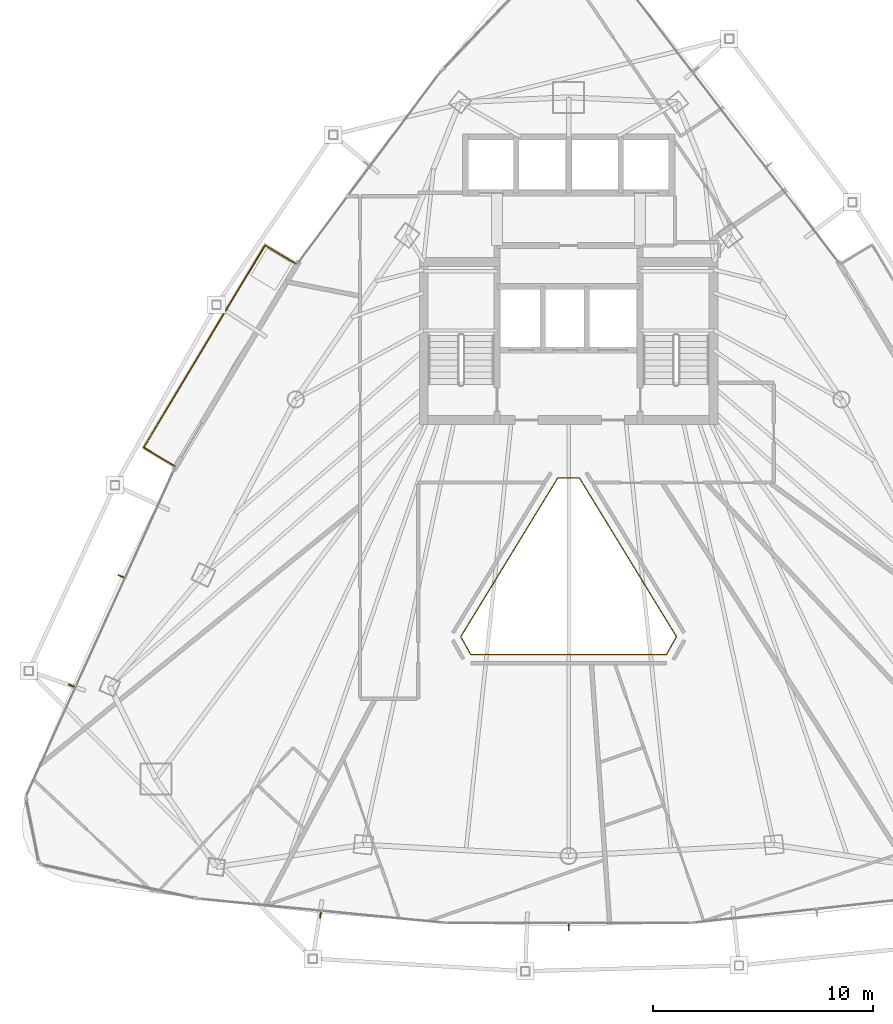
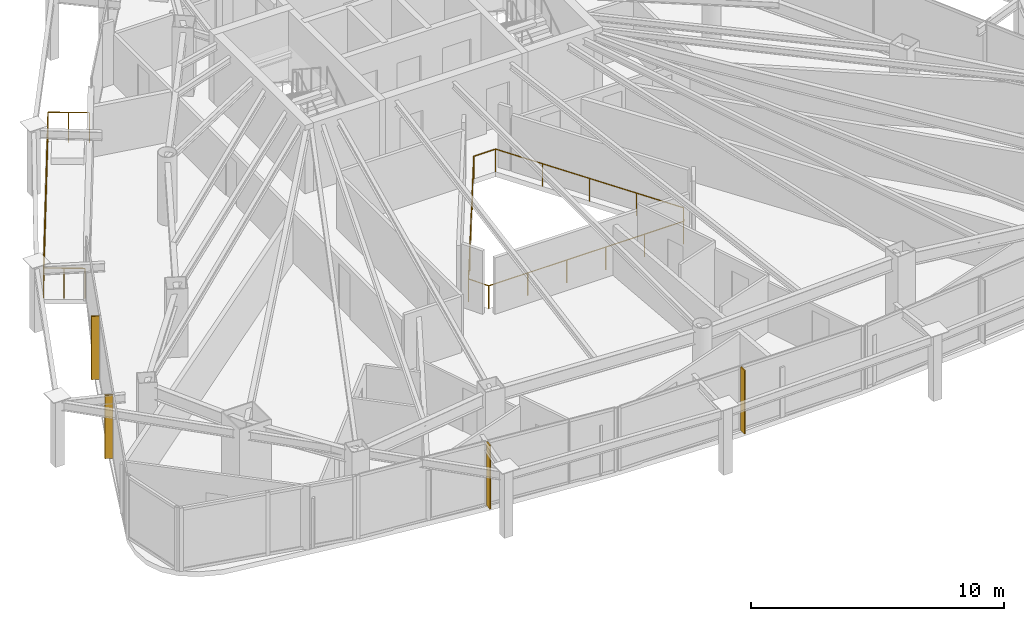
# One storey, part 27 of 29: 4 shading devices, 2 railings.
"""IFC4 building model written with IfcOpenShell, lengths in metres."""

from ifc_helpers import new_model, si_unit, direction, frame, origin, origin_2d, place, context, subcontext, project, spatial, rectangle, circle, extrude, material, layer, layer_set, type_object, element, save


model = new_model("IFC4")

# Units and contexts
model_context = context("Model", 3, precision=1e-05, world=origin(), true_north=direction((0.0, 1.0)))
body_context = subcontext(model_context, "Body", "Model", "MODEL_VIEW")
ifc_project = project(units=[si_unit("LENGTHUNIT", "METRE"), si_unit("AREAUNIT", "SQUARE_METRE"), si_unit("VOLUMEUNIT", "CUBIC_METRE"), si_unit("PLANEANGLEUNIT", "RADIAN"), si_unit("MASSUNIT", "GRAM", prefix="KILO")], contexts=[model_context])

# Site, building, storey
site_placement = place(None, origin())
site = spatial("IfcSite", under=ifc_project, at=site_placement, CompositionType="ELEMENT")
building_placement = place(site_placement, origin())
building = spatial("IfcBuilding", under=site, at=building_placement, Name="Orvanel Arch Residences", CompositionType="ELEMENT")
storey_placement = place(building_placement, frame((0.0, 0.0, 167.14990234375)))
storey = spatial("IfcBuildingStorey", under=building, at=storey_placement, Name="L47", CompositionType="ELEMENT", Elevation=167.14990234375)

# Shading devices
ifc_material = material(Name="Bronze-anodised aluminium AA6063-T6", Category="aluminium")
ifc_layer = layer(ifc_material, 0.054931640625)
ifc_layer_set = layer_set([ifc_layer], Name="Bronze-anodised aluminium AA6063-T6")
shading_device_type = type_object("IfcShadingDeviceType", Name="FIN-BRZ-320", PredefinedType="USERDEFINED", material=ifc_layer_set)
for number, where, z_axis, x_axis, name in (
    (1, (12.6240234375, 19.577880859375, 0.0), (0.0, 0.0, 1.0), (-0.910683660806, 0.413104429825, 0.0), "L47 Anodised Bronze Mullion FIN 01"),
    (2, (10.363037109375, 14.592041015625, 0.0), (0.0, 0.0, 1.0), (-0.910683660806, 0.413104429825, 0.0), "L47 Anodised Bronze Mullion FIN 02"),
    (3, (21.698974609375, 4.157958984375, 0.0), (0.0, 0.0, 1.0), (-0.097582899759, -0.995227399982, 0.0), "L47 Anodised Bronze Mullion FIN 01"),
    (4, (33.0, 3.60595703125, 0.0), (0.0, 0.0, 1.0), (0.0, -1.0, 0.0), "L47 Anodised Bronze Mullion FIN 01"),
):
    element("IfcShadingDevice", number, at=place(storey_placement, frame(where, z_axis=z_axis, x_axis=x_axis)), inside=storey, type_object=shading_device_type, Name=name, ObjectType="FIN", PredefinedType="USERDEFINED", context=body_context, shape_type="SweptSolid", body=[
        extrude(rectangle(XDim=0.320068359375, YDim=0.054931640625, at=origin_2d()), origin(), (0.0, 0.0, 1.0), 3.06005859375),
    ])

# Railings
railing_type_1 = type_object("IfcRailingType", Name="RL-ATR-1120", PredefinedType="BALUSTRADE", material=ifc_material)
railing_1_placement = place(storey_placement, frame((33.498046875, 24.049072265625, 0.0)))
element("IfcRailing", 5, at=railing_1_placement, inside=storey, type_object=railing_type_1, Name="L47 Atrium Void Protective Balustrade", PredefinedType="BALUSTRADE", context=body_context, shape_type="SweptSolid", body=[
    extrude(circle(Radius=0.02392578125, at=origin_2d()), frame((-0.00146484375, 0.0, 1.09619140625), z_axis=(-1.0, 0.0, 0.0), x_axis=(0.0, -1.0, 0.0)), (0.0, 0.0, 1.0), 0.9931640625),
    extrude(circle(Radius=0.02392578125, at=origin_2d()), frame((-0.996826171875, -0.001220703125, 1.09619140625), z_axis=(-0.5215235511, -0.853236887182, 0.0), x_axis=(0.853236887182, -0.5215235511, 0.0)), (0.0, 0.0, 1.0), 8.45654296875),
    extrude(circle(Radius=0.02392578125, at=origin_2d()), frame((-5.4072265625, -7.21923828125, 1.09619140625), z_axis=(0.489590575617, -0.871952446104, 0.0), x_axis=(0.871952446104, 0.489590575617, 0.0)), (0.0, 0.0, 1.0), 0.930419921875),
    extrude(circle(Radius=0.02392578125, at=origin_2d()), frame((-4.949462890625, -8.031982421875, 1.09619140625), z_axis=(1.0, 0.0, 0.0), x_axis=(0.0, 1.0, 0.0)), (0.0, 0.0, 1.0), 8.90283203125),
    extrude(circle(Radius=0.02392578125, at=origin_2d()), frame((3.95556640625, -8.03076171875, 1.09619140625), z_axis=(0.489590575617, 0.871952446104, 0.0), x_axis=(-0.871952446104, 0.489590575617, 0.0)), (0.0, 0.0, 1.0), 0.930419921875),
    extrude(circle(Radius=0.02392578125, at=origin_2d()), frame((4.4111328125, -7.216796875, 1.09619140625), z_axis=(-0.5215235511, 0.853236887182, 0.0), x_axis=(-0.853236887182, -0.5215235511, 0.0)), (0.0, 0.0, 1.0), 8.45654296875),
    extrude(circle(Radius=0.02099609375, at=origin_2d()), origin(), (0.0, 0.0, 1.0), 1.070068359375),
    extrude(circle(Radius=0.02099609375, at=origin_2d()), frame((-0.99609375, 0.0, 0.0)), (0.0, 0.0, 1.0), 1.070068359375),
    extrude(circle(Radius=0.02099609375, at=origin_2d()), frame((-2.09912109375, -1.804443359375, 0.0)), (0.0, 0.0, 1.0), 1.070068359375),
    extrude(circle(Radius=0.02099609375, at=origin_2d()), frame((-3.2021484375, -3.60888671875, 0.0)), (0.0, 0.0, 1.0), 1.070068359375),
    extrude(circle(Radius=0.02099609375, at=origin_2d()), frame((-4.304931640625, -5.41357421875, 0.0)), (0.0, 0.0, 1.0), 1.070068359375),
    extrude(circle(Radius=0.02099609375, at=origin_2d()), frame((-5.407958984375, -7.218017578125, 0.0)), (0.0, 0.0, 1.0), 1.070068359375),
    extrude(circle(Radius=0.02099609375, at=origin_2d()), frame((-4.950927734375, -8.031982421875, 0.0)), (0.0, 0.0, 1.0), 1.070068359375),
    extrude(circle(Radius=0.02099609375, at=origin_2d()), frame((-3.169677734375, -8.031982421875, 0.0)), (0.0, 0.0, 1.0), 1.070068359375),
    extrude(circle(Radius=0.02099609375, at=origin_2d()), frame((-1.388671875, -8.031982421875, 0.0)), (0.0, 0.0, 1.0), 1.070068359375),
    extrude(circle(Radius=0.02099609375, at=origin_2d()), frame((0.392578125, -8.031982421875, 0.0)), (0.0, 0.0, 1.0), 1.070068359375),
    extrude(circle(Radius=0.02099609375, at=origin_2d()), frame((2.173583984375, -8.031982421875, 0.0)), (0.0, 0.0, 1.0), 1.070068359375),
    extrude(circle(Radius=0.02099609375, at=origin_2d()), frame((3.954833984375, -8.031982421875, 0.0)), (0.0, 0.0, 1.0), 1.070068359375),
    extrude(circle(Radius=0.02099609375, at=origin_2d()), frame((4.411865234375, -7.218017578125, 0.0)), (0.0, 0.0, 1.0), 1.070068359375),
    extrude(circle(Radius=0.02099609375, at=origin_2d()), frame((3.308837890625, -5.41357421875, 0.0)), (0.0, 0.0, 1.0), 1.070068359375),
    extrude(circle(Radius=0.02099609375, at=origin_2d()), frame((2.2060546875, -3.60888671875, 0.0)), (0.0, 0.0, 1.0), 1.070068359375),
    extrude(circle(Radius=0.02099609375, at=origin_2d()), frame((1.10302734375, -1.804443359375, 0.0)), (0.0, 0.0, 1.0), 1.070068359375),
])
railing_type_2 = type_object("IfcRailingType", Name="RL-BAL-1480", PredefinedType="BALUSTRADE", material=ifc_material)
railing_2_placement = place(storey_placement, frame((20.5791015625, 33.818115234375, 0.0)))
element("IfcRailing", 6, at=railing_2_placement, inside=storey, type_object=railing_type_2, Name="L47 Balcony Perimeter Guardrail Face 1", PredefinedType="BALUSTRADE", context=body_context, shape_type="SweptSolid", body=[
    extrude(circle(Radius=0.02392578125, at=origin_2d()), frame((-0.001220703125, 0.000732421875, 1.4560546875), z_axis=(-0.857387817543, 0.514670895164, 0.0), x_axis=(-0.514670895164, -0.857387817543, 0.0)), (0.0, 0.0, 1.0), 1.636962890625),
    extrude(circle(Radius=0.02392578125, at=origin_2d()), frame((-1.40673828125, 0.8427734375, 1.4560546875), z_axis=(-0.514402191401, -0.857549057187, 0.0), x_axis=(0.857549057187, -0.514402191401, 0.0)), (0.0, 0.0, 1.0), 10.74169921875),
    extrude(circle(Radius=0.02392578125, at=origin_2d()), frame((-6.931884765625, -8.370849609375, 1.4560546875), z_axis=(0.857545439568, -0.514408222208, 0.0), x_axis=(0.514408222208, 0.857545439568, 0.0)), (0.0, 0.0, 1.0), 1.6376953125),
    extrude(circle(Radius=0.02099609375, at=origin_2d()), origin(), (0.0, 0.0, 1.0), 1.429931640625),
    extrude(circle(Radius=0.02099609375, at=origin_2d()), frame((-0.703125, 0.421875, 0.0)), (0.0, 0.0, 1.0), 1.429931640625),
    extrude(circle(Radius=0.02099609375, at=origin_2d()), frame((-1.406005859375, 0.843994140625, 0.0)), (0.0, 0.0, 1.0), 1.429931640625),
    extrude(circle(Radius=0.02099609375, at=origin_2d()), frame((-2.02001953125, -0.1796875, 0.0)), (0.0, 0.0, 1.0), 1.429931640625),
    extrude(circle(Radius=0.02099609375, at=origin_2d()), frame((-2.63427734375, -1.20361328125, 0.0)), (0.0, 0.0, 1.0), 1.429931640625),
    extrude(circle(Radius=0.02099609375, at=origin_2d()), frame((-3.248291015625, -2.227294921875, 0.0)), (0.0, 0.0, 1.0), 1.429931640625),
    extrude(circle(Radius=0.02099609375, at=origin_2d()), frame((-3.862548828125, -3.251220703125, 0.0)), (0.0, 0.0, 1.0), 1.429931640625),
    extrude(circle(Radius=0.02099609375, at=origin_2d()), frame((-4.4765625, -4.27490234375, 0.0)), (0.0, 0.0, 1.0), 1.429931640625),
    extrude(circle(Radius=0.02099609375, at=origin_2d()), frame((-5.0908203125, -5.298828125, 0.0)), (0.0, 0.0, 1.0), 1.429931640625),
    extrude(circle(Radius=0.02099609375, at=origin_2d()), frame((-5.704833984375, -6.322509765625, 0.0)), (0.0, 0.0, 1.0), 1.429931640625),
    extrude(circle(Radius=0.02099609375, at=origin_2d()), frame((-6.319091796875, -7.346435546875, 0.0)), (0.0, 0.0, 1.0), 1.429931640625),
    extrude(circle(Radius=0.02099609375, at=origin_2d()), frame((-6.93310546875, -8.3701171875, 0.0)), (0.0, 0.0, 1.0), 1.429931640625),
    extrude(circle(Radius=0.02099609375, at=origin_2d()), frame((-6.2294921875, -8.7919921875, 0.0)), (0.0, 0.0, 1.0), 1.429931640625),
    extrude(circle(Radius=0.02099609375, at=origin_2d()), frame((-5.526123046875, -9.214111328125, 0.0)), (0.0, 0.0, 1.0), 1.429931640625),
])

save(model, "model.ifc")
